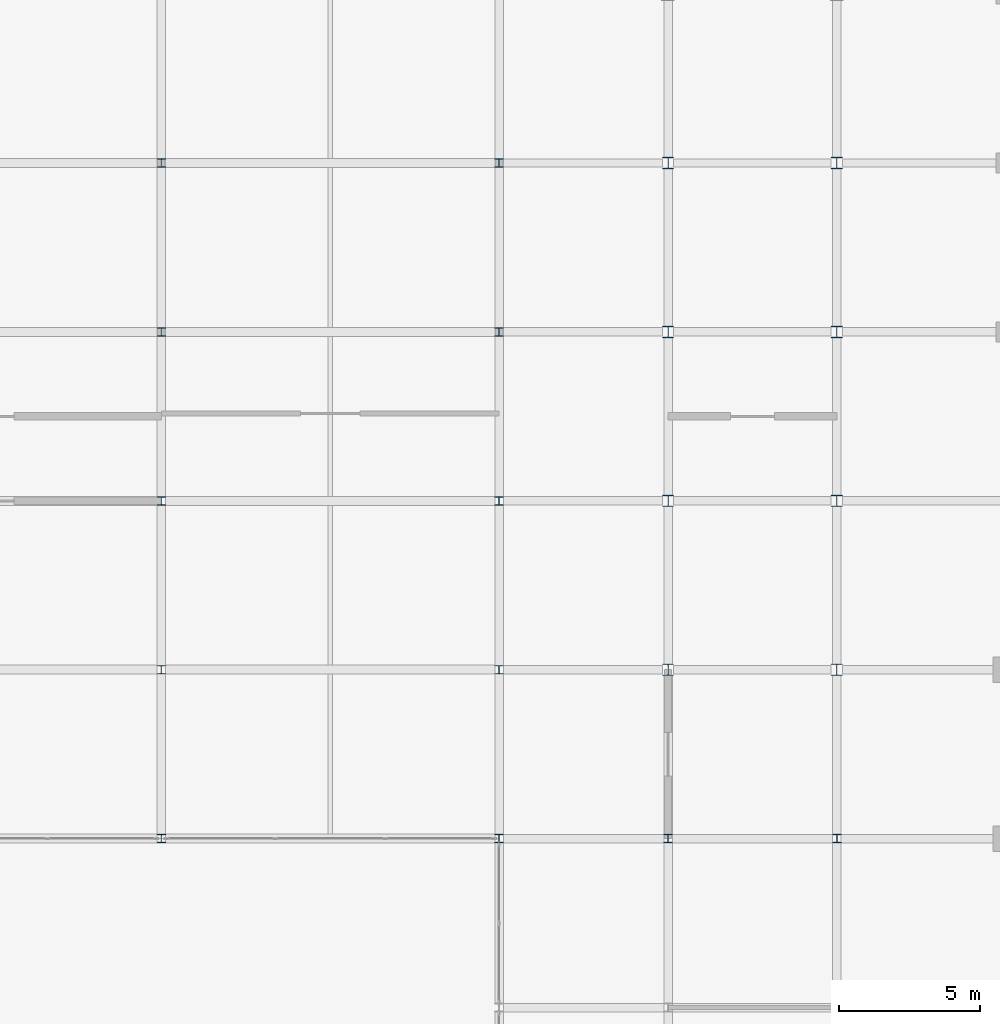
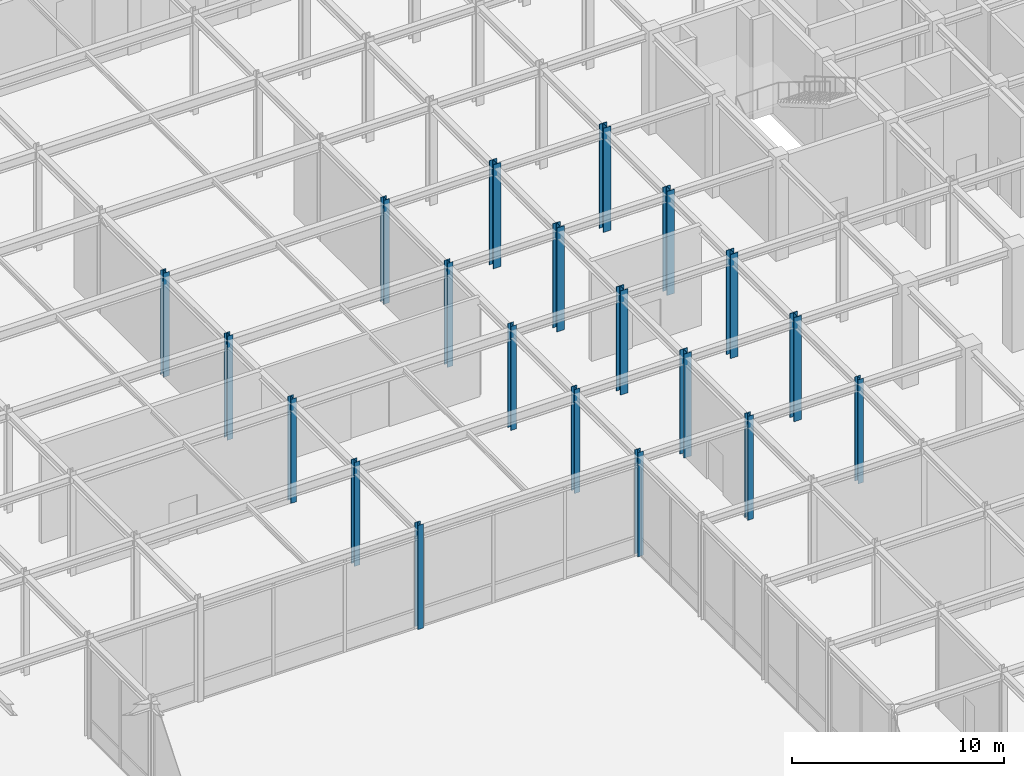
# One storey, part 14 of 108: 20 columns.
"""IFC4 building model written with IfcOpenShell, lengths in metres."""

from ifc_helpers import new_model, si_unit, direction, frame, origin, origin_2d, place, context, subcontext, project, spatial, i_section, extrude, material, material_profile, profile_set, type_object, element, save


model = new_model("IFC4")

# Units and contexts
model_context = context("Model", 3, precision=1e-05, world=origin(), true_north=direction((0.0, 1.0)))
body_context = subcontext(model_context, "Body", "Model", "MODEL_VIEW")
ifc_project = project(units=[si_unit("LENGTHUNIT", "METRE"), si_unit("AREAUNIT", "SQUARE_METRE"), si_unit("VOLUMEUNIT", "CUBIC_METRE"), si_unit("PLANEANGLEUNIT", "RADIAN"), si_unit("MASSUNIT", "GRAM", prefix="KILO")], contexts=[model_context])

# Site, building, storey
site_placement = place(None, origin())
site = spatial("IfcSite", under=ifc_project, at=site_placement, CompositionType="ELEMENT")
building_placement = place(site_placement, origin())
building = spatial("IfcBuilding", under=site, at=building_placement, Name="Zlatovratsky Civic Hall", CompositionType="ELEMENT")
storey_placement = place(building_placement, frame((0.0, 0.0, 6.0)))
storey = spatial("IfcBuildingStorey", under=building, at=storey_placement, Name="L02", CompositionType="ELEMENT", Elevation=6.0)

# Columns
ifc_material = material(Name="Steel S355", Category="steel")
ifc_material_profile_1 = material_profile(ifc_material, i_section(OverallWidth=0.300048828125, OverallDepth=0.300048828125, WebThickness=0.010009765625, FlangeThickness=0.014892578125, FilletRadius=0.01806640625, at=origin_2d()), Name="30K2")
ifc_profile_set_1 = profile_set([ifc_material_profile_1], Name="Steel S355")
column_type_1 = type_object("IfcColumnType", Name="Col_Steel_30K2", PredefinedType="COLUMN", material=ifc_profile_set_1)
for number, where, z_axis, x_axis, name in (
    (1, (36.0, 66.0, 0.0), (0.0, 0.0, 1.0), (1.0, 0.0, 0.0), "CL-0991"),
    (2, (48.0, 66.0, 0.0), (0.0, 0.0, 1.0), (1.0, 0.0, 0.0), "CL-0992"),
    (3, (54.0, 66.0, 0.0), (0.0, 0.0, 1.0), (1.0, 0.0, 0.0), "CL-0993"),
    (4, (60.0, 66.0, 0.0), (0.0, 0.0, 1.0), (1.0, 0.0, 0.0), "CL-0994"),
    (5, (36.0, 72.0, 0.0), (0.0, 0.0, 1.0), (1.0, 0.0, 0.0), "CL-1009"),
    (6, (48.0, 72.0, 0.0), (0.0, 0.0, 1.0), (1.0, 0.0, 0.0), "CL-1010"),
    (7, (36.0, 78.0, 0.0), (0.0, 0.0, 1.0), (1.0, 0.0, 0.0), "CL-1032"),
    (8, (48.0, 78.0, 0.0), (0.0, 0.0, 1.0), (1.0, 0.0, 0.0), "CL-1033"),
    (9, (36.0, 84.0, 0.0), (0.0, 0.0, 1.0), (1.0, 0.0, 0.0), "CL-1055"),
    (10, (48.0, 84.0, 0.0), (0.0, 0.0, 1.0), (1.0, 0.0, 0.0), "CL-1056"),
    (11, (36.0, 90.0, 0.0), (0.0, 0.0, 1.0), (1.0, 0.0, 0.0), "CL-1078"),
    (12, (48.0, 90.0, 0.0), (0.0, 0.0, 1.0), (1.0, 0.0, 0.0), "CL-1079"),
):
    element("IfcColumn", number, at=place(storey_placement, frame(where, z_axis=z_axis, x_axis=x_axis)), inside=storey, type_object=column_type_1, Name=name, PredefinedType="COLUMN", context=body_context, shape_type="SweptSolid", body=[
        extrude(i_section(OverallWidth=0.300048828125, OverallDepth=0.300048828125, WebThickness=0.010009765625, FlangeThickness=0.014892578125, FilletRadius=0.01806640625, at=origin_2d()), origin(), (0.0, 0.0, 1.0), 6.0),
    ])
ifc_material_profile_2 = material_profile(ifc_material, i_section(OverallWidth=0.405029296875, OverallDepth=0.41796875, WebThickness=0.02001953125, FlangeThickness=0.030029296875, FilletRadius=0.02197265625, at=origin_2d()), Name="40K4")
ifc_profile_set_2 = profile_set([ifc_material_profile_2], Name="Steel S355")
column_type_2 = type_object("IfcColumnType", Name="Col_Steel_40K4", PredefinedType="COLUMN", material=ifc_profile_set_2)
for number, where, z_axis, x_axis, name in (
    (13, (54.0, 72.0, 0.0), (0.0, 0.0, 1.0), (1.0, 0.0, 0.0), "CL-1011"),
    (14, (60.0, 72.0, 0.0), (0.0, 0.0, 1.0), (1.0, 0.0, 0.0), "CL-1012"),
    (15, (54.0, 78.0, 0.0), (0.0, 0.0, 1.0), (1.0, 0.0, 0.0), "CL-1034"),
    (16, (60.0, 78.0, 0.0), (0.0, 0.0, 1.0), (1.0, 0.0, 0.0), "CL-1035"),
    (17, (54.0, 84.0, 0.0), (0.0, 0.0, 1.0), (1.0, 0.0, 0.0), "CL-1057"),
    (18, (60.0, 84.0, 0.0), (0.0, 0.0, 1.0), (1.0, 0.0, 0.0), "CL-1058"),
    (19, (54.0, 90.0, 0.0), (0.0, 0.0, 1.0), (1.0, 0.0, 0.0), "CL-1080"),
    (20, (60.0, 90.0, 0.0), (0.0, 0.0, 1.0), (1.0, 0.0, 0.0), "CL-1081"),
):
    element("IfcColumn", number, at=place(storey_placement, frame(where, z_axis=z_axis, x_axis=x_axis)), inside=storey, type_object=column_type_2, Name=name, PredefinedType="COLUMN", context=body_context, shape_type="SweptSolid", body=[
        extrude(i_section(OverallWidth=0.405029296875, OverallDepth=0.41796875, WebThickness=0.02001953125, FlangeThickness=0.030029296875, FilletRadius=0.02197265625, at=origin_2d()), origin(), (0.0, 0.0, 1.0), 6.0),
    ])

save(model, "model.ifc")
